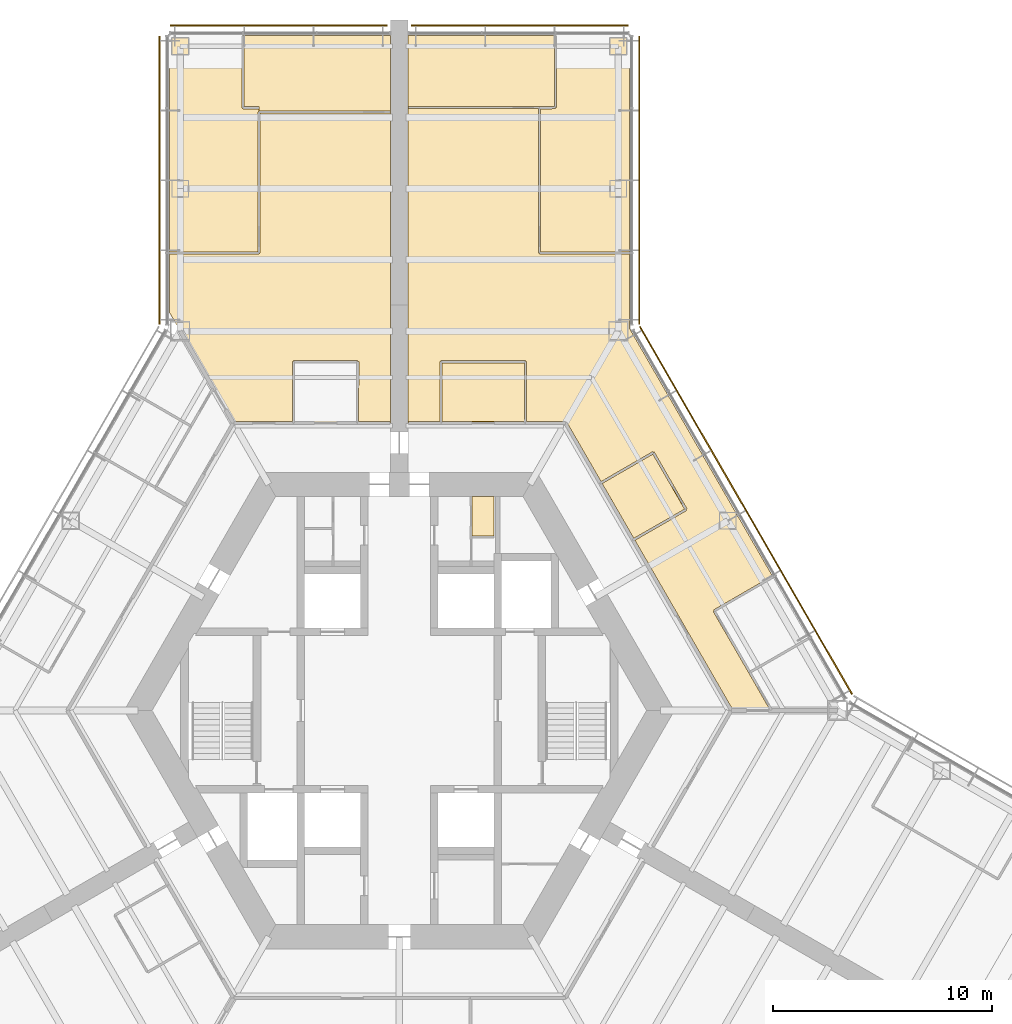
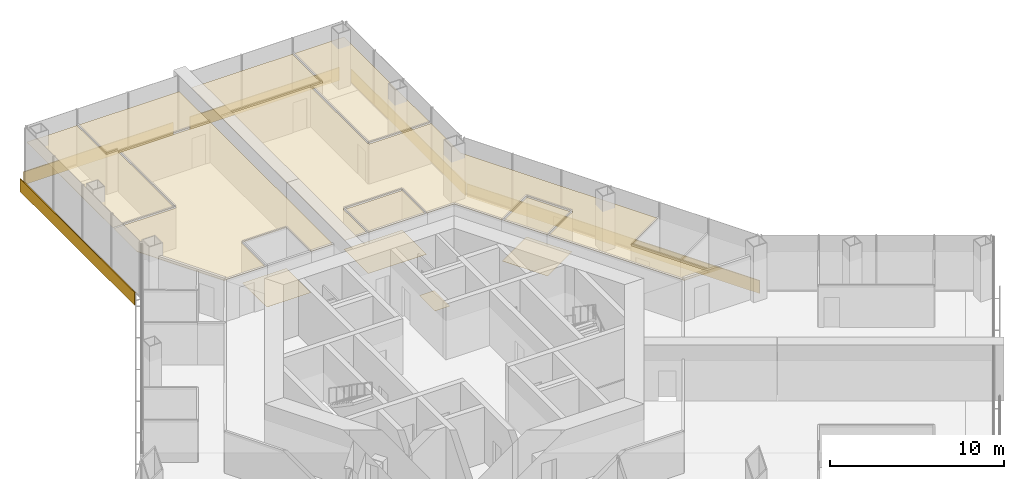
# One storey, part 18 of 18: 12 coverings, 5 shading devices.
"""IFC4 building model written with IfcOpenShell, lengths in metres."""

import ifcopenshell
import ifcopenshell.guid

model = None  # the IFC model being written
_history = None  # IfcOwnerHistory: only IFC2X3 demands one
_inside = {}  # id of a spatial element -> (the spatial element, [elements in it])
_under = {}  # id of a project, library or spatial element -> (it, [spatial elements below it])
_declared = {}  # id of a project -> (the project, [libraries it declares])
_typed = {}  # id of a type object -> (the type object, [elements of that type])
_made_of = {}  # id of a material, layer set ... -> (it, [elements and type objects made of it])


def new_model(schema):
    """Start an empty IFC model of exactly this schema.

    Asked for "IFC4X3", IfcOpenShell would pick the latest addendum, in which some entities
    have other attributes; the version numbers below select the first issue.
    IFC2X3 requires an IfcOwnerHistory on every rooted entity: one is made here for all.
    """
    global model, _history
    if schema == "IFC4X3":
        model = ifcopenshell.file(schema_version=(4, 3, 0, 0))
    else:
        model = ifcopenshell.file(schema=schema)
    _inside.clear()
    _under.clear()
    _declared.clear()
    _typed.clear()
    _made_of.clear()
    _history = None
    if model.schema == "IFC2X3":
        org = make("IfcOrganization", Name="unknown")
        user = make(
            "IfcPersonAndOrganization",
            ThePerson=make("IfcPerson", FamilyName="unknown"),
            TheOrganization=org,
        )
        app = make(
            "IfcApplication",
            ApplicationDeveloper=org,
            Version="unknown",
            ApplicationFullName="unknown",
            ApplicationIdentifier="unknown",
        )
        _history = make(
            "IfcOwnerHistory",
            OwningUser=user,
            OwningApplication=app,
            ChangeAction="ADDED",
            CreationDate=0,
        )
    return model


def make(cls, **values):
    """One entity of the class cls with the attributes given. An attribute that is None is left unset."""
    return model.create_entity(
        cls, **{name: value for name, value in values.items() if value is not None}
    )


def rooted(cls, **values):
    """An entity with a GlobalId (a new one), such as an element, a storey or a relation."""
    return make(cls, GlobalId=ifcopenshell.guid.new(), OwnerHistory=_history, **values)


def si_unit(unit_type, name, prefix=None):
    """IfcSIUnit, for example si_unit("LENGTHUNIT", "METRE", prefix="MILLI")."""
    return make("IfcSIUnit", UnitType=unit_type, Prefix=prefix, Name=name)


def assignment(units):
    """IfcUnitAssignment: the units of a project."""
    return None if units is None else make("IfcUnitAssignment", Units=units)


def point(xyz):
    """IfcCartesianPoint."""
    return None if xyz is None else make("IfcCartesianPoint", Coordinates=xyz)


def direction(xyz):
    """IfcDirection."""
    return None if xyz is None else make("IfcDirection", DirectionRatios=xyz)


def frame(location, z_axis=None, x_axis=None):
    """IfcAxis2Placement3D, a coordinate frame: its origin and axes. An axis left out is left unset."""
    return make(
        "IfcAxis2Placement3D",
        Location=point(location),
        Axis=direction(z_axis),
        RefDirection=direction(x_axis),
    )


def frame_2d(location, x_axis=None):
    """IfcAxis2Placement2D, a coordinate frame in the plane: its origin and x axis."""
    return make(
        "IfcAxis2Placement2D", Location=point(location), RefDirection=direction(x_axis)
    )


def origin():
    """The frame at (0, 0, 0) with its axes left unset."""
    return frame((0.0, 0.0, 0.0))


def origin_2d():
    """The frame at (0, 0) in the plane with its x axis left unset."""
    return frame_2d((0.0, 0.0))


def place(relative_to, where):
    """IfcLocalPlacement: puts the frame where relative to a parent placement (None: the world)."""
    return make(
        "IfcLocalPlacement", PlacementRelTo=relative_to, RelativePlacement=where
    )


def context(
    kind, dimensions, precision=None, world=None, true_north=None, identifier=None
):
    """IfcGeometricRepresentationContext, for example the 3D "Model" context."""
    return make(
        "IfcGeometricRepresentationContext",
        ContextIdentifier=identifier,
        ContextType=kind,
        CoordinateSpaceDimension=dimensions,
        Precision=precision,
        WorldCoordinateSystem=world,
        TrueNorth=true_north,
    )


def subcontext(parent, identifier, kind, view, scale=None):
    """IfcGeometricRepresentationSubContext, for example "Body" below "Model"."""
    return make(
        "IfcGeometricRepresentationSubContext",
        ContextIdentifier=identifier,
        ContextType=kind,
        ParentContext=parent,
        TargetScale=scale,
        TargetView=view,
    )


def project(units=None, contexts=None):
    """IfcProject with its units and contexts."""
    return rooted(
        "IfcProject",
        Name="project",
        RepresentationContexts=contexts,
        UnitsInContext=assignment(units),
    )


def spatial(cls, under=None, at=None, **own):
    """A site, building, storey or space (cls), placed at a placement, below another one or the project."""
    s = rooted(cls, ObjectPlacement=at, **own)
    if under is not None:
        _under.setdefault(under.id(), (under, []))[1].append(s)
    return s


def polyline(points):
    """IfcPolyline through the points."""
    return make("IfcPolyline", Points=[point(p) for p in points])


def profile(cls, at=None, kind="AREA", **sizes):
    """A parametric profile (cls). Its sizes go by their IFC names, for example OverallWidth=200.0."""
    return make(cls, ProfileType=kind, Position=at, **sizes)


def rectangle(**sizes):
    """IfcRectangleProfileDef."""
    return profile("IfcRectangleProfileDef", **sizes)


def outline(outer, holes=None, kind="AREA"):
    """IfcArbitraryClosedProfileDef: a profile drawn as a closed curve; with holes, ...WithVoids."""
    if holes is None:
        return make("IfcArbitraryClosedProfileDef", ProfileType=kind, OuterCurve=outer)
    return make(
        "IfcArbitraryProfileDefWithVoids",
        ProfileType=kind,
        OuterCurve=outer,
        InnerCurves=holes,
    )


def extrude(swept, where, along, depth):
    """IfcExtrudedAreaSolid: the profile swept, set in the frame where, extruded along a direction by depth."""
    return make(
        "IfcExtrudedAreaSolid",
        SweptArea=swept,
        Position=where,
        ExtrudedDirection=direction(along),
        Depth=depth,
    )


def shape(context_of_items, identifier, shape_type, items):
    """IfcShapeRepresentation: the items that make up one representation, for example the "Body"."""
    return make(
        "IfcShapeRepresentation",
        ContextOfItems=context_of_items,
        RepresentationIdentifier=identifier,
        RepresentationType=shape_type,
        Items=items,
    )


def material(Name=None, Category=None):
    """IfcMaterial."""
    return make("IfcMaterial", Name=Name, Category=Category)


def layer(
    of_material, thickness, ventilated=None, Name=None, Category=None, Priority=None
):
    """IfcMaterialLayer: one layer of a wall or slab, of a material (None: an air gap)."""
    return make(
        "IfcMaterialLayer",
        Material=of_material,
        LayerThickness=thickness,
        IsVentilated=ventilated,
        Name=Name,
        Category=Category,
        Priority=Priority,
    )


def layer_set(layers, Name=None):
    """IfcMaterialLayerSet."""
    return make("IfcMaterialLayerSet", MaterialLayers=layers, LayerSetName=Name)


def made_of(thing, what):
    """Note that an element or type object is made of a material, layer set ...; save() writes the relation."""
    if what is not None:
        _made_of.setdefault(what.id(), (what, []))[1].append(thing)
    return thing


def type_object(cls, material=None, **own):
    """A type object (cls), such as IfcWallType, which elements share."""
    return made_of(rooted(cls, **own), material)


def element(
    cls,
    number,
    at=None,
    inside=None,
    cuts=None,
    type_object=None,
    material=None,
    context=None,
    identifier="Body",
    shape_type=None,
    held_by="IfcProductDefinitionShape",
    body=None,
    shapes=None,
    **own,
):
    """One element of the class cls, such as IfcWall. Its Tag is "e" and its number.

    at: its placement. inside: the storey or other place that contains it. cuts: it is an
    opening in that element (IfcRelVoidsElement). A single representation is given by context,
    identifier, shape_type and body (its items); several are given by shapes. held_by: the class
    of the entity that holds the representations. save() writes the other relations.
    """
    e = rooted(cls, Tag="e%d" % number, ObjectPlacement=at, **own)
    if body is not None:
        shapes = [shape(context, identifier, shape_type, body)]
    if shapes is not None:
        e.Representation = make(held_by, Representations=shapes)
    if inside is not None:
        _inside.setdefault(inside.id(), (inside, []))[1].append(e)
    if cuts is not None:
        rooted(
            "IfcRelVoidsElement", RelatingBuildingElement=cuts, RelatedOpeningElement=e
        )
    if type_object is not None:
        _typed.setdefault(type_object.id(), (type_object, []))[1].append(e)
    return made_of(e, material)


def aggregate(whole, parts):
    """IfcRelAggregates: a whole, such as a stair, and the parts it consists of."""
    return rooted("IfcRelAggregates", RelatingObject=whole, RelatedObjects=parts)


def save(model, path):
    """Write the relations noted so far, then the file.

    IfcRelAggregates (storeys below a building ...), IfcRelContainedInSpatialStructure (elements
    in a storey), IfcRelDefinesByType, IfcRelAssociatesMaterial and IfcRelDeclares: one each for
    every whole, place, type object, material and project.
    """
    for whole, parts in _under.values():
        aggregate(whole, parts)
    for where, things in _inside.values():
        rooted(
            "IfcRelContainedInSpatialStructure",
            RelatedElements=things,
            RelatingStructure=where,
        )
    for kind, things in _typed.values():
        rooted("IfcRelDefinesByType", RelatedObjects=things, RelatingType=kind)
    for what, things in _made_of.values():
        rooted("IfcRelAssociatesMaterial", RelatedObjects=things, RelatingMaterial=what)
    for by, libraries in _declared.values():
        rooted("IfcRelDeclares", RelatingContext=by, RelatedDefinitions=libraries)
    model.write(path)


model = new_model("IFC4")

# Units and contexts
model_context = context("Model", 3, precision=1e-05, world=origin(), true_north=direction((0.0, 1.0)))
body_context = subcontext(model_context, "Body", "Model", "MODEL_VIEW")
ifc_project = project(units=[si_unit("LENGTHUNIT", "METRE"), si_unit("AREAUNIT", "SQUARE_METRE"), si_unit("VOLUMEUNIT", "CUBIC_METRE"), si_unit("PLANEANGLEUNIT", "RADIAN"), si_unit("MASSUNIT", "GRAM", prefix="KILO")], contexts=[model_context])

# Site, building, storey
site_placement = place(None, origin())
site = spatial("IfcSite", under=ifc_project, at=site_placement, CompositionType="ELEMENT")
building_placement = place(site_placement, origin())
building = spatial("IfcBuilding", under=site, at=building_placement, Name="Kasaneha Research Tower", CompositionType="ELEMENT")
storey_placement = place(building_placement, frame((0.0, 0.0, 69.0)))
storey = spatial("IfcBuildingStorey", under=building, at=storey_placement, Name="L17", CompositionType="ELEMENT", Elevation=69.0)

# Coverings
ifc_material_1 = material(Name="Gypsum ceiling board", Category="gypsum")
ifc_layer_1 = layer(ifc_material_1, 0.02001953125)
ifc_layer_set_1 = layer_set([ifc_layer_1], Name="Suspended ceiling 20")
covering_type_1 = type_object("IfcCoveringType", Name="Suspended ceiling 20", PredefinedType="CEILING", material=ifc_layer_set_1)
covering_1_placement = place(storey_placement, frame((0.0, 0.0, 2.800048828125)))
element("IfcCovering", 1, at=covering_1_placement, inside=storey, type_object=covering_type_1, Name="Ceiling L17-28", PredefinedType="CEILING", context=body_context, shape_type="SweptSolid", body=[
    extrude(outline(polyline([(1.954345703125, 13.199951171875), (1.9501953125, 15.875), (5.70703125, 15.875), (5.70263671875, 13.199951171875), (1.954345703125, 13.199951171875)])), origin(), (0.0, 0.0, 1.0), 0.02001953125),
])
covering_2_placement = place(storey_placement, frame((0.0, 0.0, 2.800048828125)))
element("IfcCovering", 2, at=covering_2_placement, inside=storey, type_object=covering_type_1, Name="Ceiling L17-29", PredefinedType="CEILING", context=body_context, shape_type="SweptSolid", body=[
    extrude(outline(polyline([(11.5732421875, 11.70458984375), (13.023193359375, 9.193359375), (10.704345703125, 7.859619140625), (9.2587890625, 10.363525390625), (11.5732421875, 11.70458984375)])), origin(), (0.0, 0.0, 1.0), 0.02001953125),
])
covering_3_placement = place(storey_placement, frame((0.0, 0.0, 2.800048828125)))
element("IfcCovering", 3, at=covering_3_placement, inside=storey, type_object=covering_type_1, Name="Ceiling L17-30", PredefinedType="CEILING", context=body_context, shape_type="SweptSolid", body=[
    extrude(outline(polyline([(7.1337890625, 30.821044921875), (10.50048828125, 30.820556640625), (10.5, 20.89111328125), (10.5, 20.941162109375), (6.449951171875, 20.941162109375), (6.453857421875, 27.4658203125), (7.133544921875, 27.470458984375), (7.13330078125, 27.5205078125), (7.183349609375, 27.5205078125), (7.18359375, 30.800537109375), (7.1337890625, 30.800537109375), (7.1337890625, 30.821044921875)])), origin(), (0.0, 0.0, 1.0), 0.02001953125),
])
covering_4_placement = place(storey_placement, frame((0.0, 0.0, 2.800048828125)))
element("IfcCovering", 4, at=covering_4_placement, inside=storey, type_object=covering_type_1, Name="Ceiling L17-31", PredefinedType="CEILING", context=body_context, shape_type="SweptSolid", body=[
    extrude(outline(polyline([(7.13330078125, 30.820556640625), (7.13330078125, 30.800537109375), (7.083740234375, 30.800537109375), (7.083251953125, 27.570068359375), (6.404052734375, 27.5654296875), (6.404052734375, 27.570556640625), (0.419921875, 27.570556640625), (0.419921875, 27.5205078125), (0.39990234375, 27.5205078125), (0.39990234375, 30.820556640625), (7.13330078125, 30.820556640625)])), origin(), (0.0, 0.0, 1.0), 0.02001953125),
])
covering_5_placement = place(storey_placement, frame((0.0, 0.0, 2.800048828125)))
element("IfcCovering", 5, at=covering_5_placement, inside=storey, type_object=covering_type_1, Name="Ceiling L17-34", PredefinedType="CEILING", context=body_context, shape_type="SweptSolid", body=[
    extrude(outline(polyline([(15.156005859375, 0.0), (15.144287109375, 0.020263671875), (15.208740234375, 0.0576171875), (10.75439453125, 7.77294921875), (13.116455078125, 9.131591796875), (13.091552734375, 9.174560546875), (13.092041015625, 9.1748046875), (13.091796875, 9.175048828125), (13.134765625, 9.199951171875), (11.634765625, 11.798095703125), (11.591796875, 11.773193359375), (11.591796875, 11.7734375), (11.59130859375, 11.773193359375), (11.56640625, 11.816162109375), (9.208740234375, 10.449951171875), (7.642578125, 13.16259765625), (7.578125, 13.125244140625), (7.578125, 13.12548828125), (7.57763671875, 13.12548828125), (7.57763671875, 13.199951171875), (5.802734375, 13.199951171875), (5.806884765625, 15.9248046875), (5.757080078125, 15.925048828125), (5.757080078125, 15.925537109375), (5.757080078125, 15.925537109375), (5.757080078125, 15.97509765625), (1.89990234375, 15.97509765625), (1.89990234375, 15.925537109375), (1.899658203125, 15.925537109375), (1.899658203125, 15.925048828125), (1.85009765625, 15.9248046875), (1.8544921875, 13.199951171875), (0.419921875, 13.199951171875), (0.419921875, 13.12548828125), (0.39990234375, 13.12548828125), (0.39990234375, 27.52001953125), (0.419921875, 27.52001953125), (0.419921875, 27.470458984375), (6.35400390625, 27.470458984375), (6.35009765625, 20.89111328125), (6.399658203125, 20.89111328125), (6.399658203125, 20.890869140625), (6.39990234375, 20.890869140625), (6.39990234375, 20.841064453125), (10.5, 20.841064453125), (10.5, 17.45458984375), (17.055908203125, 6.09912109375), (17.055908203125, 6.09912109375), (17.03125, 6.14208984375), (14.346435546875, 4.592041015625), (14.37158203125, 4.548828125), (14.328125, 4.523681640625), (15.95556640625, 1.714599609375), (16.93994140625, 0.0), (15.156005859375, 0.0)])), origin(), (0.0, 0.0, 1.0), 0.02001953125),
])
covering_6_placement = place(storey_placement, frame((0.0, 0.0, 2.800048828125)))
element("IfcCovering", 6, at=covering_6_placement, inside=storey, type_object=covering_type_1, Name="Ceiling L17-37", PredefinedType="CEILING", context=body_context, shape_type="SweptSolid", body=[
    extrude(outline(polyline([(-7.1337890625, 30.821044921875), (-7.1337890625, 30.800537109375), (-7.18359375, 30.800537109375), (-7.183837890625, 27.5107421875), (-7.1337890625, 27.5107421875), (-7.1337890625, 27.5107421875), (-7.1337890625, 27.5107421875), (-7.1337890625, 27.460693359375), (-6.39990234375, 27.460693359375), (-6.39990234375, 27.324951171875), (-6.449951171875, 27.324951171875), (-6.449951171875, 20.941162109375), (-10.5, 20.941162109375), (-10.5, 20.89111328125), (-10.50048828125, 30.820556640625), (-7.1337890625, 30.821044921875)])), origin(), (0.0, 0.0, 1.0), 0.02001953125),
])
covering_7_placement = place(storey_placement, frame((0.0, 0.0, 2.800048828125)))
element("IfcCovering", 7, at=covering_7_placement, inside=storey, type_object=covering_type_1, Name="Ceiling L17-38", PredefinedType="CEILING", context=body_context, shape_type="SweptSolid", body=[
    extrude(outline(polyline([(-0.39990234375, 27.320556640625), (-0.419921875, 27.320556640625), (-0.419921875, 27.37060546875), (-6.39990234375, 27.375), (-6.39990234375, 27.324951171875), (-6.39990234375, 27.460693359375), (-6.39990234375, 27.5107421875), (-6.39990234375, 27.560791015625), (-7.083740234375, 27.560791015625), (-7.083740234375, 30.800537109375), (-7.13330078125, 30.800537109375), (-7.13330078125, 30.820556640625), (-0.39990234375, 30.820556640625), (-0.39990234375, 27.320556640625)])), origin(), (0.0, 0.0, 1.0), 0.02001953125),
])
covering_8_placement = place(storey_placement, frame((0.0, 0.0, 2.800048828125)))
element("IfcCovering", 8, at=covering_8_placement, inside=storey, type_object=covering_type_1, Name="Ceiling L17-39", PredefinedType="CEILING", context=body_context, shape_type="SweptSolid", body=[
    extrude(outline(polyline([(-1.899658203125, 15.925537109375), (-1.89990234375, 15.925537109375), (-1.89990234375, 15.97509765625), (-4.8291015625, 15.97509765625), (-4.8291015625, 15.925537109375), (-4.8291015625, 15.925048828125), (-4.87890625, 15.9248046875), (-4.87451171875, 13.199951171875), (-7.5546875, 13.199951171875), (-7.5546875, 13.12548828125), (-7.577880859375, 13.12548828125), (-8.469970703125, 14.67041015625), (-8.467041015625, 14.67529296875), (-8.475830078125, 14.680419921875), (-10.5, 18.1865234375), (-10.5, 20.841064453125), (-6.39990234375, 20.841064453125), (-6.39990234375, 20.890869140625), (-6.399658203125, 20.890869140625), (-6.399658203125, 20.89111328125), (-6.35009765625, 20.89111328125), (-6.35009765625, 27.27490234375), (-0.419921875, 27.2705078125), (-0.419921875, 27.320068359375), (-0.39990234375, 27.320068359375), (-0.39990234375, 13.12548828125), (-0.419921875, 13.12548828125), (-0.419921875, 13.199951171875), (-1.8544921875, 13.199951171875), (-1.85009765625, 15.9248046875), (-1.899658203125, 15.925048828125), (-1.899658203125, 15.925537109375)])), origin(), (0.0, 0.0, 1.0), 0.02001953125),
])

# Shading devices
ifc_material_2 = material(Name="Terracotta", Category="masonry")
ifc_layer_2 = layer(ifc_material_2, 0.06005859375)
ifc_layer_set_2 = layer_set([ifc_layer_2], Name="Terracotta baguette screen")
shading_device_type = type_object("IfcShadingDeviceType", Name="Terracotta baguette screen", PredefinedType="USERDEFINED", material=ifc_layer_set_2)
shading_device_1_placement = place(storey_placement, frame((15.82275390625, 9.13525390625, -0.449951171875), z_axis=(0.0, 0.0, 1.0), x_axis=(-0.49999996188, 0.866025425793, 0.0)))
element("IfcShadingDevice", 9, at=shading_device_1_placement, inside=storey, type_object=shading_device_type, Name="Baguette screen L17 07", ObjectType="TERRACOTTA BAGUETTE SCREEN", PredefinedType="USERDEFINED", context=body_context, shape_type="SweptSolid", body=[
    extrude(rectangle(XDim=19.37841796875, YDim=0.06005859375, at=origin_2d()), origin(), (0.0, 0.0, 1.0), 0.89990234375),
])
shading_device_2_placement = place(storey_placement, frame((10.949951171875, 24.200927734375, -0.449951171875), z_axis=(0.0, 0.0, 1.0), x_axis=(0.0, 1.0, 0.0)))
element("IfcShadingDevice", 10, at=shading_device_2_placement, inside=storey, type_object=shading_device_type, Name="Baguette screen L17 08", ObjectType="TERRACOTTA BAGUETTE SCREEN", PredefinedType="USERDEFINED", context=body_context, shape_type="SweptSolid", body=[
    extrude(rectangle(XDim=13.13916015625, YDim=0.06005859375, at=origin_2d()), origin(), (0.0, 0.0, 1.0), 0.89990234375),
])
for number, where, z_axis, x_axis, name in (
    (11, (5.5, 31.2705078125, -0.449951171875), (0.0, 0.0, 1.0), (-1.0, 0.0, 0.0), "Baguette screen L17 09"),
    (12, (-5.5, 31.2705078125, -0.449951171875), (0.0, 0.0, 1.0), (-1.0, 0.0, 0.0), "Baguette screen L17 10"),
):
    element("IfcShadingDevice", number, at=place(storey_placement, frame(where, z_axis=z_axis, x_axis=x_axis)), inside=storey, type_object=shading_device_type, Name=name, ObjectType="TERRACOTTA BAGUETTE SCREEN", PredefinedType="USERDEFINED", context=body_context, shape_type="SweptSolid", body=[
        extrude(rectangle(XDim=9.89990234375, YDim=0.06005859375, at=origin_2d()), origin(), (0.0, 0.0, 1.0), 0.89990234375),
    ])
shading_device_3_placement = place(storey_placement, frame((-10.949951171875, 24.200927734375, -0.449951171875), z_axis=(0.0, 0.0, 1.0), x_axis=(0.0, -1.0, 0.0)))
element("IfcShadingDevice", 13, at=shading_device_3_placement, inside=storey, type_object=shading_device_type, Name="Baguette screen L17 11", ObjectType="TERRACOTTA BAGUETTE SCREEN", PredefinedType="USERDEFINED", context=body_context, shape_type="SweptSolid", body=[
    extrude(rectangle(XDim=13.13916015625, YDim=0.06005859375, at=origin_2d()), origin(), (0.0, 0.0, 1.0), 0.89990234375),
])

# Coverings
ifc_material_3 = material(Name="Vinyl sheet flooring", Category="plastic")
ifc_layer_3 = layer(ifc_material_3, 0.0048828125)
ifc_layer_set_3 = layer_set([ifc_layer_3], Name="Wet room sheet flooring 5")
covering_type_2 = type_object("IfcCoveringType", Name="Wet room sheet flooring 5", PredefinedType="FLOORING", material=ifc_layer_set_3)
covering_9_placement = place(storey_placement, origin())
element("IfcCovering", 14, at=covering_9_placement, inside=storey, type_object=covering_type_2, Name="Floor finish L17-10", PredefinedType="FLOORING", context=body_context, shape_type="SweptSolid", body=[
    extrude(outline(polyline([(4.324951171875, 7.97509765625), (3.324951171875, 7.97509765625), (3.324951171875, 9.77490234375), (4.324951171875, 9.77490234375), (4.324951171875, 7.97509765625)])), origin(), (0.0, 0.0, 1.0), 0.0048828125),
])
covering_10_placement = place(storey_placement, origin())
element("IfcCovering", 15, at=covering_10_placement, inside=storey, type_object=covering_type_2, Name="Floor finish L17-28", PredefinedType="FLOORING", context=body_context, shape_type="SweptSolid", body=[
    extrude(outline(polyline([(1.89990234375, 15.925048828125), (5.757080078125, 15.925048828125), (5.757080078125, 13.125), (1.89990234375, 13.125), (1.89990234375, 15.925048828125)])), origin(), (0.0, 0.0, 1.0), 0.0048828125),
])
covering_11_placement = place(storey_placement, origin())
element("IfcCovering", 16, at=covering_11_placement, inside=storey, type_object=covering_type_2, Name="Floor finish L17-29", PredefinedType="FLOORING", context=body_context, shape_type="SweptSolid", body=[
    extrude(outline(polyline([(11.591552734375, 11.77294921875), (13.091552734375, 9.175048828125), (10.66650390625, 7.77490234375), (9.16650390625, 10.373046875), (11.591552734375, 11.77294921875)])), origin(), (0.0, 0.0, 1.0), 0.0048828125),
])
covering_12_placement = place(storey_placement, origin())
element("IfcCovering", 17, at=covering_12_placement, inside=storey, type_object=covering_type_2, Name="Floor finish L17-36", PredefinedType="FLOORING", context=body_context, shape_type="SweptSolid", body=[
    extrude(outline(polyline([(-4.8291015625, 15.925048828125), (-1.89990234375, 15.925048828125), (-1.89990234375, 13.125), (-4.8291015625, 13.125), (-4.8291015625, 15.925048828125)])), origin(), (0.0, 0.0, 1.0), 0.0048828125),
])

save(model, "model.ifc")
